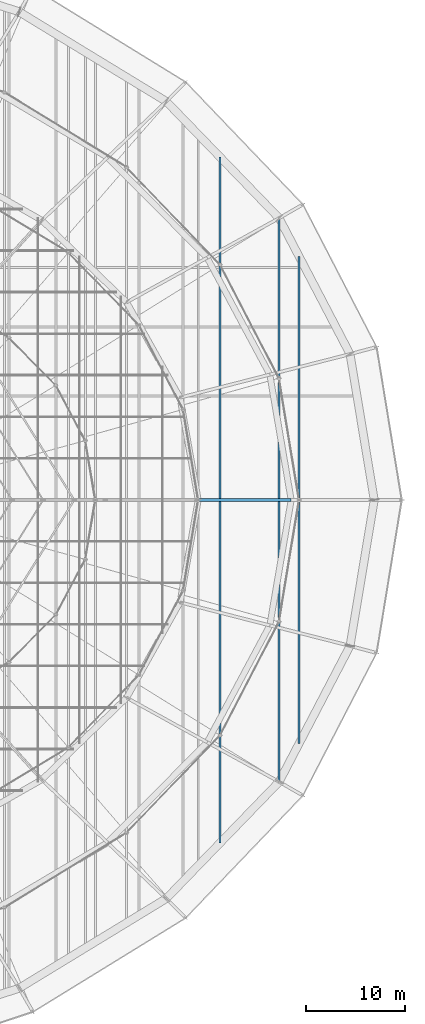
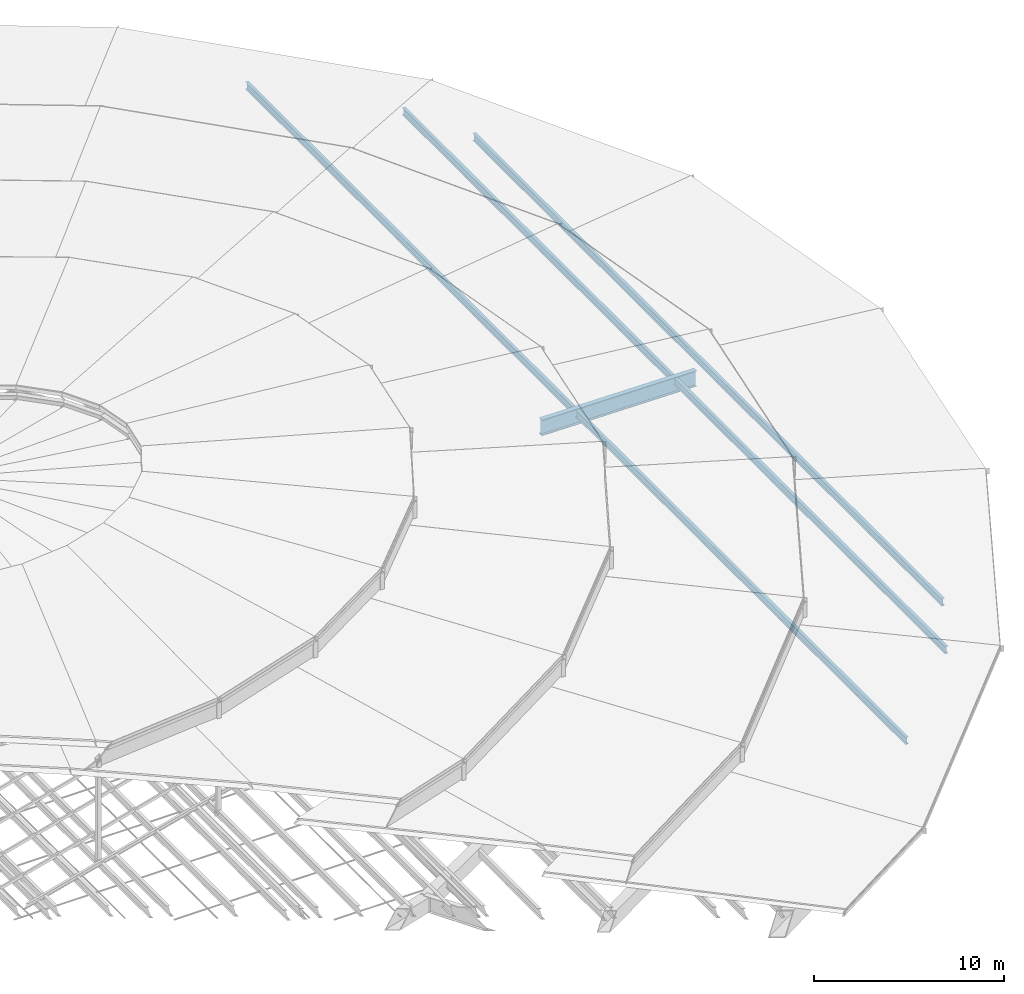
# One storey, part 131 of 184: 3 members, 1 beam.
"""IFC4 building model written with IfcOpenShell, lengths in metres."""

from ifc_helpers import new_model, si_unit, direction, frame, origin, origin_2d, place, context, subcontext, project, spatial, i_section, extrude, material, material_profile, profile_set, type_object, element, save


model = new_model("IFC4")

# Units and contexts
model_context = context("Model", 3, precision=1e-05, world=origin(), true_north=direction((0.0, 1.0)))
body_context = subcontext(model_context, "Body", "Model", "MODEL_VIEW")
ifc_project = project(units=[si_unit("LENGTHUNIT", "METRE"), si_unit("AREAUNIT", "SQUARE_METRE"), si_unit("VOLUMEUNIT", "CUBIC_METRE"), si_unit("PLANEANGLEUNIT", "RADIAN"), si_unit("MASSUNIT", "GRAM", prefix="KILO")], contexts=[model_context])

# Site, building, storey
site_placement = place(None, origin())
site = spatial("IfcSite", under=ifc_project, at=site_placement, CompositionType="ELEMENT")
building_placement = place(site_placement, origin())
building = spatial("IfcBuilding", under=site, at=building_placement, Name="Kalgoora Escarpment Arena", CompositionType="ELEMENT")
storey_placement = place(building_placement, frame((0.0, 0.0, 27.60009765625)))
storey = spatial("IfcBuildingStorey", under=building, at=storey_placement, Name="Roof Level", CompositionType="ELEMENT", Elevation=27.60009765625)

# Beam
ifc_material_1 = material(Name="Structural steel Grade 350 (350 MPa)", Category="steel")
ifc_material_profile_1 = material_profile(ifc_material_1, i_section(OverallWidth=0.300048828125, OverallDepth=1.010009765625, WebThickness=0.01611328125, FlangeThickness=0.030029296875, at=origin_2d()))
ifc_profile_set_1 = profile_set([ifc_material_profile_1], Name="Structural steel Grade 350 (350 MPa)")
beam_type = type_object("IfcBeamType", Name="BM-TRUSS-CHORD", PredefinedType="USERDEFINED", material=ifc_profile_set_1)
beam_placement = place(storey_placement, frame((155.800048828125, 64.0, -1.300048828125), z_axis=(-0.999943585502, 0.0, 0.010621949627), x_axis=(0.0, -1.0, 0.0)))
element("IfcBeam", 1, at=beam_placement, inside=storey, type_object=beam_type, Name="Inner radial petal support girder R01", ObjectType="GIRDER", PredefinedType="USERDEFINED", context=body_context, shape_type="SweptSolid", body=[
    extrude(i_section(OverallWidth=0.300048828125, OverallDepth=1.010009765625, WebThickness=0.01611328125, FlangeThickness=0.030029296875, at=origin_2d()), origin(), (0.0, 0.0, 1.0), 9.400634765625),
])

# Members
ifc_material_2 = material(Name="Structural steel AS/NZS 3679 (300 MPa)", Category="steel")
ifc_material_profile_2 = material_profile(ifc_material_2, i_section(OverallWidth=0.19091796875, OverallDepth=0.4599609375, WebThickness=0.010009765625, FlangeThickness=0.01611328125, at=origin_2d()))
ifc_profile_set_2 = profile_set([ifc_material_profile_2], Name="Structural steel AS/NZS 3679 (300 MPa)")
member_type = type_object("IfcMemberType", Name="MEM-CARRIER-CHORD", PredefinedType="CHORD", material=ifc_profile_set_2)
member_1_placement = place(storey_placement, frame((156.60009765625, 39.370361328125, -1.080078125), z_axis=(0.0, 1.0, 0.0), x_axis=(-1.0, 0.0, 0.0)))
element("IfcMember", 2, at=member_1_placement, inside=storey, type_object=member_type, Name="Petal RP2 spanning carrier chord C01", PredefinedType="CHORD", context=body_context, shape_type="SweptSolid", body=[
    extrude(i_section(OverallWidth=0.19091796875, OverallDepth=0.4599609375, WebThickness=0.010009765625, FlangeThickness=0.01611328125, at=origin_2d()), origin(), (0.0, 0.0, 1.0), 49.25927734375),
])
member_2_placement = place(storey_placement, frame((154.569091796875, 35.48828125, -1.080078125), z_axis=(0.0, 1.0, 0.0), x_axis=(-1.0, 0.0, 0.0)))
element("IfcMember", 3, at=member_2_placement, inside=storey, type_object=member_type, Name="Petal RP2 spanning carrier chord C02", PredefinedType="CHORD", context=body_context, shape_type="SweptSolid", body=[
    extrude(i_section(OverallWidth=0.19091796875, OverallDepth=0.4599609375, WebThickness=0.010009765625, FlangeThickness=0.01611328125, at=origin_2d()), origin(), (0.0, 0.0, 1.0), 57.0234375),
])
member_3_placement = place(storey_placement, frame((148.614990234375, 29.328125, -1.080078125), z_axis=(0.0, 1.0, 0.0), x_axis=(-1.0, 0.0, 0.0)))
element("IfcMember", 4, at=member_3_placement, inside=storey, type_object=member_type, Name="Petal RP2 spanning carrier chord C03", PredefinedType="CHORD", context=body_context, shape_type="SweptSolid", body=[
    extrude(i_section(OverallWidth=0.19091796875, OverallDepth=0.4599609375, WebThickness=0.010009765625, FlangeThickness=0.01611328125, at=origin_2d()), origin(), (0.0, 0.0, 1.0), 69.34375),
])

save(model, "model.ifc")
